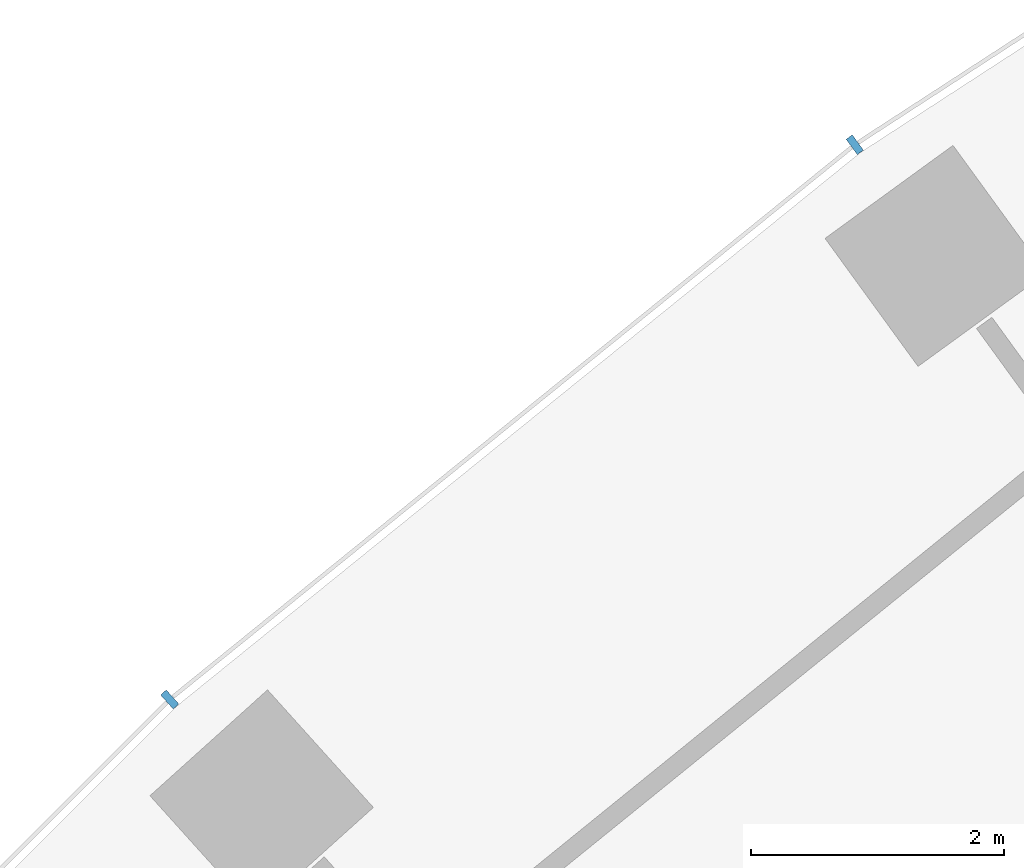
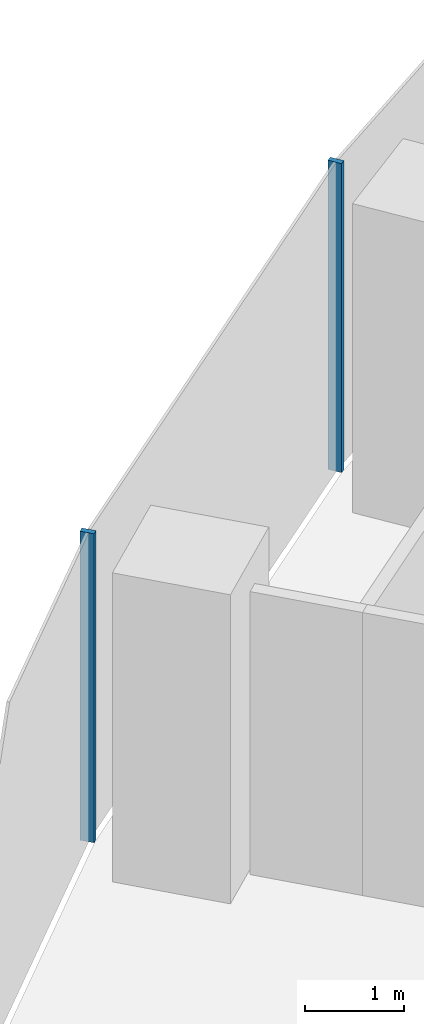
# One storey, part 4 of 21: 2 members, 1 element without a shape of its own.
"""IFC4 building model written with IfcOpenShell, lengths in metres."""

from ifc_helpers import new_model, si_unit, direction, frame, origin, origin_2d, place, context, subcontext, project, spatial, rectangle, extrude, material, layer, layer_set, material_profile, profile_set, type_object, element, aggregate, save


model = new_model("IFC4")

# Units and contexts
model_context = context("Model", 3, precision=1e-05, world=origin(), true_north=direction((0.0, 1.0)))
body_context = subcontext(model_context, "Body", "Model", "MODEL_VIEW")
ifc_project = project(units=[si_unit("LENGTHUNIT", "METRE"), si_unit("AREAUNIT", "SQUARE_METRE"), si_unit("VOLUMEUNIT", "CUBIC_METRE"), si_unit("PLANEANGLEUNIT", "RADIAN"), si_unit("MASSUNIT", "GRAM", prefix="KILO")], contexts=[model_context])

# Site, building, storey
site_placement = place(None, origin())
site = spatial("IfcSite", under=ifc_project, at=site_placement, CompositionType="ELEMENT")
building_placement = place(site_placement, origin())
building = spatial("IfcBuilding", under=site, at=building_placement, Name="Stone Belt Terrace Tower", CompositionType="ELEMENT")
storey_placement = place(building_placement, frame((0.0, 0.0, 49.0)))
storey = spatial("IfcBuildingStorey", under=building, at=storey_placement, Name="L11", CompositionType="ELEMENT", Elevation=49.0)

# Curtain wall, members
ifc_material = material(Name="Aluminium 6063-T6 anodised frame", Category="aluminium")
ifc_layer = layer(ifc_material, 0.14990234375)
ifc_layer_set = layer_set([ifc_layer], Name="CW-A unitised convex-face curtain wall")
curtain_wall_type = type_object("IfcCurtainWallType", Name="CW-A unitised convex-face curtain wall", PredefinedType="NOTDEFINED", material=ifc_layer_set)
curtain_wall_placement = place(storey_placement, origin())
curtain_wall = element("IfcCurtainWall", 1, at=curtain_wall_placement, inside=storey, type_object=curtain_wall_type, Name="CW-A convex face L11", PredefinedType="NOTDEFINED")
ifc_material_profile = material_profile(ifc_material, rectangle(XDim=0.14990234375, YDim=0.06005859375, at=origin_2d()), Name="Aluminium 6063-T6 60x150")
ifc_profile_set = profile_set([ifc_material_profile], Name="Aluminium 6063-T6 anodised frame")
member_type = type_object("IfcMemberType", Name="CW-A mullion 60 x 150", PredefinedType="MULLION", material=ifc_profile_set)
member_1_placement = place(storey_placement, frame((-39.1318359375, 53.8603515625, 0.0), z_axis=(0.0, 0.0, 1.0), x_axis=(0.587785252292, -0.809016994375, 0.0)))
member_1 = element("IfcMember", 2, at=member_1_placement, type_object=member_type, Name="CW-A mullion 16", PredefinedType="MULLION", context=body_context, shape_type="SweptSolid", body=[
    extrude(rectangle(XDim=0.14990234375, YDim=0.06005859375, at=origin_2d()), origin(), (0.0, 0.0, 1.0), 3.800048828125),
])
member_2_placement = place(storey_placement, frame((-44.54736328125, 49.474853515625, 0.0), z_axis=(0.0, 0.0, 1.0), x_axis=(0.669130606359, -0.743144825477, 0.0)))
member_2 = element("IfcMember", 3, at=member_2_placement, type_object=member_type, Name="CW-A mullion 17", PredefinedType="MULLION", context=body_context, shape_type="SweptSolid", body=[
    extrude(rectangle(XDim=0.14990234375, YDim=0.06005859375, at=origin_2d()), origin(), (0.0, 0.0, 1.0), 3.800048828125),
])
aggregate(curtain_wall, [member_1, member_2])

save(model, "model.ifc")
